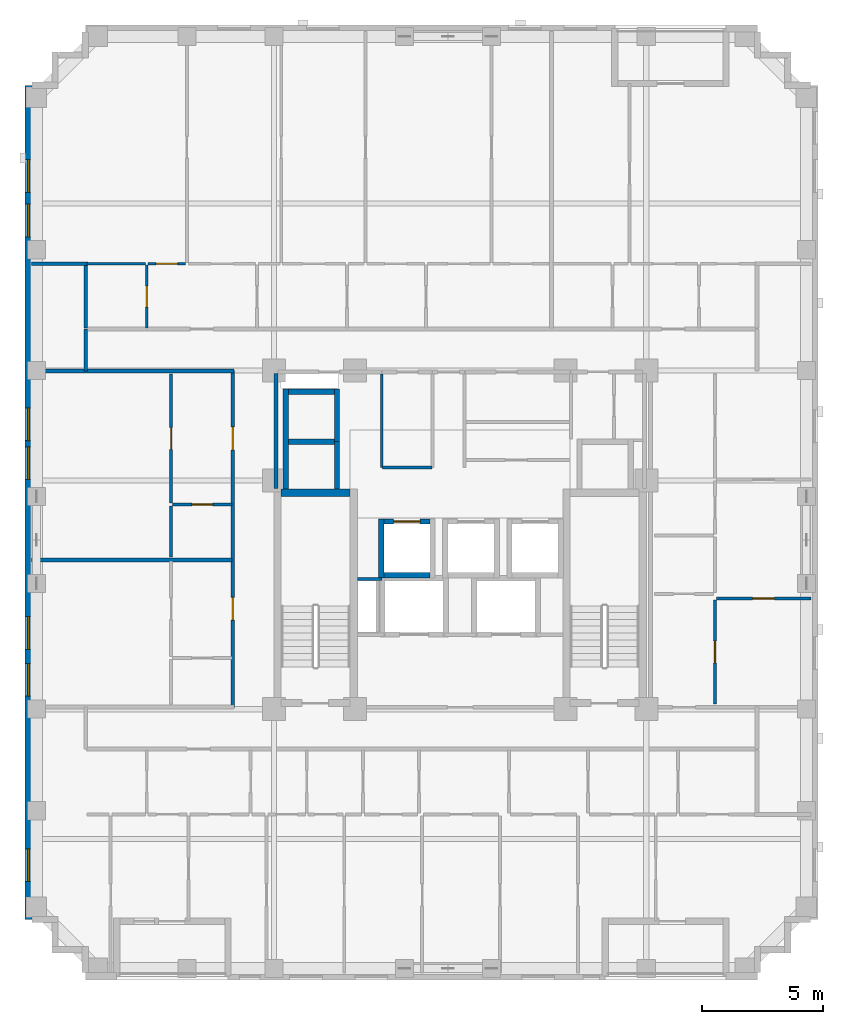
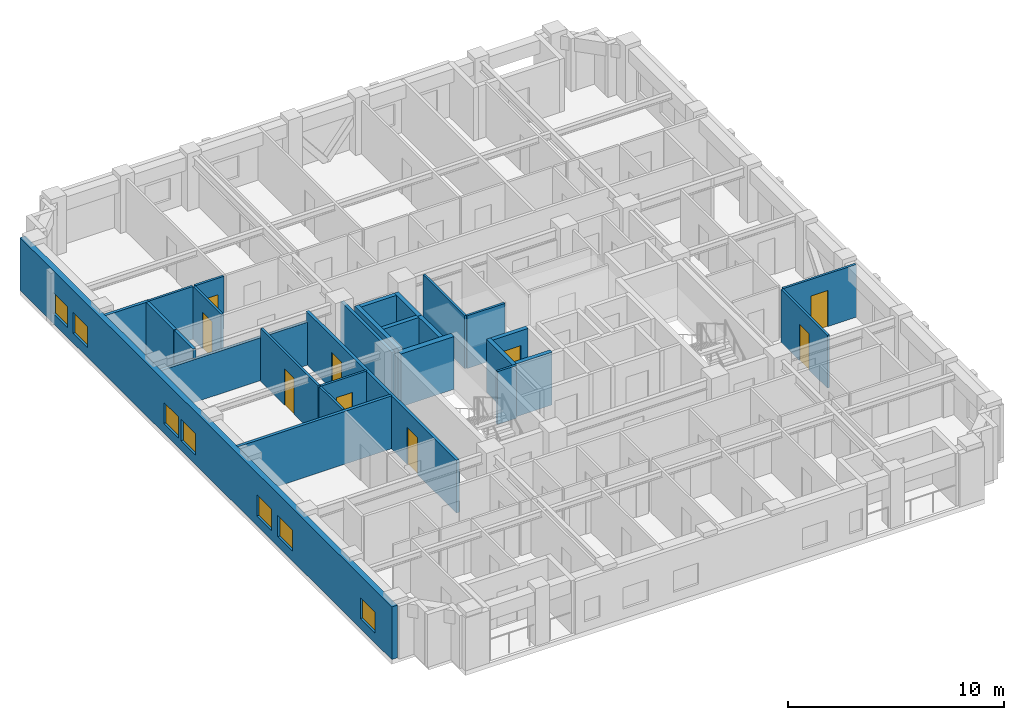
# One storey, part 5 of 12: 28 walls, 9 doors, 7 windows, 16 openings.
"""IFC4 building model written with IfcOpenShell, lengths in metres."""

from ifc_helpers import new_model, si_unit, derived_unit, direction, frame, frame_2d, origin, place, context, subcontext, project, spatial, rectangle, extrude, material, layer, layer_set, type_object, element, fill, save


model = new_model("IFC4")

# Units and contexts
model_context = context("Model", 3, precision=1e-05, world=origin(), true_north=direction((0.0, 1.0)))
body_context = subcontext(model_context, "Body", "Model", "MODEL_VIEW")
ifc_project = project(units=[si_unit("LENGTHUNIT", "METRE"), si_unit("AREAUNIT", "SQUARE_METRE"), si_unit("VOLUMEUNIT", "CUBIC_METRE"), si_unit("PLANEANGLEUNIT", "RADIAN"), si_unit("MASSUNIT", "GRAM", prefix="KILO"), derived_unit("THERMALTRANSMITTANCEUNIT", [(si_unit("MASSUNIT", "GRAM", prefix="KILO"), 1), (si_unit("TIMEUNIT", "SECOND"), -3), (si_unit("THERMODYNAMICTEMPERATUREUNIT", "KELVIN"), -1)])], contexts=[model_context])

# Site, building, storey
site_placement = place(None, origin())
site = spatial("IfcSite", under=ifc_project, at=site_placement, CompositionType="ELEMENT")
building_placement = place(site_placement, origin())
building = spatial("IfcBuilding", under=site, at=building_placement, Name="Korrvale Station Residences", CompositionType="ELEMENT")
storey_placement = place(building_placement, frame((0.0, 0.0, 130.89990234375)))
storey = spatial("IfcBuildingStorey", under=building, at=storey_placement, Name="L37", CompositionType="ELEMENT", Elevation=130.89990234375)

# Wall
ifc_material_1 = material(Name="Concrete C60/75", Category="concrete")
ifc_layer_1 = layer(ifc_material_1, 0.300048828125, Name="Concrete C60/75")
ifc_layer_set_1 = layer_set([ifc_layer_1], Name="Concrete C60/75")
wall_type_1 = type_object("IfcWallType", Name="WAL-CORE-300-C60", PredefinedType="SHEAR", material=ifc_layer_set_1)
wall_1_placement = place(storey_placement, frame((18.10009765625, 23.949951171875, 0.0), z_axis=(0.0, 0.0, 1.0), x_axis=(1.0, 0.0, 0.0)))
element("IfcWall", 1, at=wall_1_placement, inside=storey, type_object=wall_type_1, Name="L37 ST-1 Core Shear Wall North", PredefinedType="SHEAR", context=body_context, shape_type="SweptSolid", body=[
    extrude(rectangle(XDim=2.849853515625, YDim=0.300048828125, at=frame_2d((1.4248046875, 0.0))), origin(), (0.0, 0.0, 1.0), 2.989990234375),
])

# Wall, openings, windows
ifc_material_2 = material(Name="Precast concrete C45/55", Category="concrete")
ifc_layer_2 = layer(ifc_material_2, 0.300048828125, Name="Precast concrete C45/55")
ifc_layer_set_2 = layer_set([ifc_layer_2], Name="Precast concrete C45/55")
wall_type_2 = type_object("IfcWallType", Name="WAL-EXT-PC300", PredefinedType="SOLIDWALL", material=ifc_layer_set_2)
wall_2_placement = place(storey_placement, frame((7.64990234375, 6.300048828125, 0.0), z_axis=(0.0, 0.0, 1.0), x_axis=(0.0, 1.0, 0.0)))
wall_2 = element("IfcWall", 2, at=wall_2_placement, inside=storey, type_object=wall_type_2, Name="L37 West Exterior Precast Wall 1", PredefinedType="SOLIDWALL", context=body_context, shape_type="SweptSolid", body=[
    extrude(rectangle(XDim=34.5, YDim=0.300048828125, at=frame_2d((17.25, 0.0))), origin(), (0.0, 0.0, 1.0), 2.989990234375),
])
opening_1_placement = place(wall_2_placement, frame((1.574951171875, 0.0, 0.550048828125)))
opening_1 = element("IfcOpeningElement", 3, at=opening_1_placement, cuts=wall_2, Name="Opening W-10", PredefinedType="OPENING", context=body_context, shape_type="SweptSolid", body=[
    extrude(rectangle(XDim=1.35009765625, YDim=1.199951171875, at=frame_2d((0.675048828125, 0.60009765625))), frame((0.0, 0.16015625, 0.0), z_axis=(0.0, -1.0, 0.0), x_axis=(1.0, 0.0, 0.0)), (0.0, 0.0, 1.0), 0.320068359375),
])
opening_2_placement = place(wall_2_placement, frame((30.074951171875, 0.0, 0.550048828125)))
opening_2 = element("IfcOpeningElement", 4, at=opening_2_placement, cuts=wall_2, Name="Opening W-10", PredefinedType="OPENING", context=body_context, shape_type="SweptSolid", body=[
    extrude(rectangle(XDim=1.35009765625, YDim=1.199951171875, at=frame_2d((0.675048828125, 0.60009765625))), frame((0.0, 0.16015625, 0.0), z_axis=(0.0, -1.0, 0.0), x_axis=(1.0, 0.0, 0.0)), (0.0, 0.0, 1.0), 0.320068359375),
])
opening_3_placement = place(wall_2_placement, frame((28.235107421875, 0.0, 0.550048828125)))
opening_3 = element("IfcOpeningElement", 5, at=opening_3_placement, cuts=wall_2, Name="Opening W-10", PredefinedType="OPENING", context=body_context, shape_type="SweptSolid", body=[
    extrude(rectangle(XDim=1.35009765625, YDim=1.199951171875, at=frame_2d((0.675048828125, 0.60009765625))), frame((0.0, 0.16015625, 0.0), z_axis=(0.0, -1.0, 0.0), x_axis=(1.0, 0.0, 0.0)), (0.0, 0.0, 1.0), 0.320068359375),
])
opening_4_placement = place(wall_2_placement, frame((11.175048828125, 0.0, 0.550048828125)))
opening_4 = element("IfcOpeningElement", 6, at=opening_4_placement, cuts=wall_2, Name="Opening W-10", PredefinedType="OPENING", context=body_context, shape_type="SweptSolid", body=[
    extrude(rectangle(XDim=1.35009765625, YDim=1.199951171875, at=frame_2d((0.675048828125, 0.60009765625))), frame((0.0, 0.16015625, 0.0), z_axis=(0.0, -1.0, 0.0), x_axis=(1.0, 0.0, 0.0)), (0.0, 0.0, 1.0), 0.320068359375),
])
opening_5_placement = place(wall_2_placement, frame((9.235107421875, 0.0, 0.550048828125)))
opening_5 = element("IfcOpeningElement", 7, at=opening_5_placement, cuts=wall_2, Name="Opening W-10", PredefinedType="OPENING", context=body_context, shape_type="SweptSolid", body=[
    extrude(rectangle(XDim=1.35009765625, YDim=1.199951171875, at=frame_2d((0.675048828125, 0.60009765625))), frame((0.0, 0.16015625, 0.0), z_axis=(0.0, -1.0, 0.0), x_axis=(1.0, 0.0, 0.0)), (0.0, 0.0, 1.0), 0.320068359375),
])
opening_6_placement = place(wall_2_placement, frame((18.199951171875, 0.0, 0.550048828125)))
opening_6 = element("IfcOpeningElement", 8, at=opening_6_placement, cuts=wall_2, Name="Opening W-10", PredefinedType="OPENING", context=body_context, shape_type="SweptSolid", body=[
    extrude(rectangle(XDim=1.35009765625, YDim=1.199951171875, at=frame_2d((0.675048828125, 0.60009765625))), frame((0.0, 0.16015625, 0.0), z_axis=(0.0, -1.0, 0.0), x_axis=(1.0, 0.0, 0.0)), (0.0, 0.0, 1.0), 0.320068359375),
])
opening_7_placement = place(wall_2_placement, frame((19.81005859375, 0.0, 0.550048828125)))
opening_7 = element("IfcOpeningElement", 9, at=opening_7_placement, cuts=wall_2, Name="Opening W-10", PredefinedType="OPENING", context=body_context, shape_type="SweptSolid", body=[
    extrude(rectangle(XDim=1.35009765625, YDim=1.199951171875, at=frame_2d((0.675048828125, 0.60009765625))), frame((0.0, 0.16015625, 0.0), z_axis=(0.0, -1.0, 0.0), x_axis=(1.0, 0.0, 0.0)), (0.0, 0.0, 1.0), 0.320068359375),
])
ifc_material_3 = material(Name="Thermally broken aluminium frame with triple low-e glazing", Category="aluminium")
window_type = type_object("IfcWindowType", Name="WIN-W10", PartitioningType="SINGLE_PANEL", PredefinedType="WINDOW", material=ifc_material_3)
window_1_placement = place(opening_1_placement, origin())
window_1 = element("IfcWindow", 10, at=window_1_placement, inside=storey, type_object=window_type, Name="L37 Punched Window 01", OverallHeight=1.199951171875, OverallWidth=1.35009765625, PartitioningType="SINGLE_PANEL", PredefinedType="WINDOW", context=body_context, shape_type="SweptSolid", body=[
    extrude(rectangle(XDim=1.35009765625, YDim=1.199951171875, at=frame_2d((0.675048828125, 0.60009765625))), frame((0.0, 0.030029296875, 0.0), z_axis=(0.0, -1.0, 0.0), x_axis=(1.0, 0.0, 0.0)), (0.0, 0.0, 1.0), 0.06005859375),
])
fill(opening_1, window_1)
window_2_placement = place(opening_2_placement, origin())
window_2 = element("IfcWindow", 11, at=window_2_placement, inside=storey, type_object=window_type, Name="L37 Punched Window 09", OverallHeight=1.199951171875, OverallWidth=1.35009765625, PartitioningType="SINGLE_PANEL", PredefinedType="WINDOW", context=body_context, shape_type="SweptSolid", body=[
    extrude(rectangle(XDim=1.35009765625, YDim=1.199951171875, at=frame_2d((0.675048828125, 0.60009765625))), frame((0.0, 0.030029296875, 0.0), z_axis=(0.0, -1.0, 0.0), x_axis=(1.0, 0.0, 0.0)), (0.0, 0.0, 1.0), 0.06005859375),
])
fill(opening_2, window_2)
window_3_placement = place(opening_3_placement, origin())
window_3 = element("IfcWindow", 12, at=window_3_placement, inside=storey, type_object=window_type, Name="L37 Punched Window 10", OverallHeight=1.199951171875, OverallWidth=1.35009765625, PartitioningType="SINGLE_PANEL", PredefinedType="WINDOW", context=body_context, shape_type="SweptSolid", body=[
    extrude(rectangle(XDim=1.35009765625, YDim=1.199951171875, at=frame_2d((0.675048828125, 0.60009765625))), frame((0.0, 0.030029296875, 0.0), z_axis=(0.0, -1.0, 0.0), x_axis=(1.0, 0.0, 0.0)), (0.0, 0.0, 1.0), 0.06005859375),
])
fill(opening_3, window_3)
window_4_placement = place(opening_4_placement, origin())
window_4 = element("IfcWindow", 13, at=window_4_placement, inside=storey, type_object=window_type, Name="L37 Punched Window 17", OverallHeight=1.199951171875, OverallWidth=1.35009765625, PartitioningType="SINGLE_PANEL", PredefinedType="WINDOW", context=body_context, shape_type="SweptSolid", body=[
    extrude(rectangle(XDim=1.35009765625, YDim=1.199951171875, at=frame_2d((0.675048828125, 0.60009765625))), frame((0.0, 0.030029296875, 0.0), z_axis=(0.0, -1.0, 0.0), x_axis=(1.0, 0.0, 0.0)), (0.0, 0.0, 1.0), 0.06005859375),
])
fill(opening_4, window_4)
window_5_placement = place(opening_5_placement, origin())
window_5 = element("IfcWindow", 14, at=window_5_placement, inside=storey, type_object=window_type, Name="L37 Punched Window 18", OverallHeight=1.199951171875, OverallWidth=1.35009765625, PartitioningType="SINGLE_PANEL", PredefinedType="WINDOW", context=body_context, shape_type="SweptSolid", body=[
    extrude(rectangle(XDim=1.35009765625, YDim=1.199951171875, at=frame_2d((0.675048828125, 0.60009765625))), frame((0.0, 0.030029296875, 0.0), z_axis=(0.0, -1.0, 0.0), x_axis=(1.0, 0.0, 0.0)), (0.0, 0.0, 1.0), 0.06005859375),
])
fill(opening_5, window_5)
window_6_placement = place(opening_6_placement, origin())
window_6 = element("IfcWindow", 15, at=window_6_placement, inside=storey, type_object=window_type, Name="L37 Punched Window 19", OverallHeight=1.199951171875, OverallWidth=1.35009765625, PartitioningType="SINGLE_PANEL", PredefinedType="WINDOW", context=body_context, shape_type="SweptSolid", body=[
    extrude(rectangle(XDim=1.35009765625, YDim=1.199951171875, at=frame_2d((0.675048828125, 0.60009765625))), frame((0.0, 0.030029296875, 0.0), z_axis=(0.0, -1.0, 0.0), x_axis=(1.0, 0.0, 0.0)), (0.0, 0.0, 1.0), 0.06005859375),
])
fill(opening_6, window_6)
window_7_placement = place(opening_7_placement, origin())
window_7 = element("IfcWindow", 16, at=window_7_placement, inside=storey, type_object=window_type, Name="L37 Punched Window 20", OverallHeight=1.199951171875, OverallWidth=1.35009765625, PartitioningType="SINGLE_PANEL", PredefinedType="WINDOW", context=body_context, shape_type="SweptSolid", body=[
    extrude(rectangle(XDim=1.35009765625, YDim=1.199951171875, at=frame_2d((0.675048828125, 0.60009765625))), frame((0.0, 0.030029296875, 0.0), z_axis=(0.0, -1.0, 0.0), x_axis=(1.0, 0.0, 0.0)), (0.0, 0.0, 1.0), 0.06005859375),
])
fill(opening_7, window_7)

# Walls
ifc_material_4 = material(Name="Acoustic steel-stud gypsum board partition", Category="steel")
ifc_layer_3 = layer(ifc_material_4, 0.1201171875, Name="Acoustic steel-stud gypsum board partition")
ifc_layer_set_3 = layer_set([ifc_layer_3], Name="Acoustic steel-stud gypsum board partition")
wall_type_3 = type_object("IfcWallType", Name="WAL-PART-125", PredefinedType="PARTITIONING", material=ifc_layer_set_3)
wall_3_placement = place(storey_placement, frame((22.280029296875, 20.3798828125, 0.0), z_axis=(0.0, 0.0, 1.0), x_axis=(-1.0, 0.0, 0.0)))
element("IfcWall", 17, at=wall_3_placement, inside=storey, type_object=wall_type_3, Name="L37 Core Partition CW-RSWT-N", PredefinedType="PARTITIONING", context=body_context, shape_type="SweptSolid", body=[
    extrude(rectangle(XDim=1.02001953125, YDim=0.1201171875, at=frame_2d((0.510009765625, 0.0))), origin(), (0.0, 0.0, 1.0), 2.989990234375),
])
wall_4_placement = place(storey_placement, frame((22.260009765625, 25.0, 0.0), z_axis=(0.0, 0.0, 1.0), x_axis=(0.0, 1.0, 0.0)))
element("IfcWall", 18, at=wall_4_placement, inside=storey, type_object=wall_type_3, Name="L37 Core Partition CW-FPLW-W", PredefinedType="PARTITIONING", context=body_context, shape_type="SweptSolid", body=[
    extrude(rectangle(XDim=3.860107421875, YDim=0.1201171875, at=frame_2d((1.93017578125, 0.0))), origin(), (0.0, 0.0, 1.0), 2.989990234375),
])
wall_5_placement = place(storey_placement, frame((22.300048828125, 25.0, 0.0), z_axis=(0.0, 0.0, 1.0), x_axis=(1.0, 0.0, 0.0)))
element("IfcWall", 19, at=wall_5_placement, inside=storey, type_object=wall_type_3, Name="L37 Core Partition CW-FPLW-S", PredefinedType="PARTITIONING", context=body_context, shape_type="SweptSolid", body=[
    extrude(rectangle(XDim=2.0400390625, YDim=0.1201171875, at=frame_2d((1.02001953125, 0.0))), origin(), (0.0, 0.0, 1.0), 2.989990234375),
])

# Wall, opening, door
wall_6_placement = place(storey_placement, frame((12.5400390625, 30.760009765625, 0.0), z_axis=(0.0, 0.0, 1.0), x_axis=(0.0, 1.0, 0.0)))
wall_6 = element("IfcWall", 20, at=wall_6_placement, inside=storey, type_object=wall_type_3, Name="L37 Suite Partition U02-V01", PredefinedType="PARTITIONING", context=body_context, shape_type="SweptSolid", body=[
    extrude(rectangle(XDim=2.60009765625, YDim=0.1201171875, at=frame_2d((1.300048828125, 0.0))), origin(), (0.0, 0.0, 1.0), 2.989990234375),
])
opening_8_placement = place(wall_6_placement, frame((0.8701171875, 0.0, 0.0)))
opening_8 = element("IfcOpeningElement", 21, at=opening_8_placement, cuts=wall_6, Name="Opening DB-860", PredefinedType="OPENING", context=body_context, shape_type="SweptSolid", body=[
    extrude(rectangle(XDim=0.860107421875, YDim=2.050048828125, at=frame_2d((0.43017578125, 1.02490234375))), frame((0.0, 0.070068359375, 0.0), z_axis=(0.0, -1.0, 0.0), x_axis=(1.0, 0.0, 0.0)), (0.0, 0.0, 1.0), 0.14013671875),
])
ifc_material_5 = material(Name="Moisture-resistant solid-core bathroom door", Category="timber")
door_type_1 = type_object("IfcDoorType", Name="DR-BATH-860", OperationType="NOTDEFINED", PredefinedType="DOOR", material=ifc_material_5)
door_1_placement = place(opening_8_placement, origin())
door_1 = element("IfcDoor", 22, at=door_1_placement, inside=storey, type_object=door_type_1, Name="L37 Apartment 1BR L37-U02 Bathroom Door", OperationType="SINGLE_SWING_RIGHT", OverallHeight=2.050048828125, OverallWidth=0.860107421875, PredefinedType="DOOR", context=body_context, shape_type="SweptSolid", body=[
    extrude(rectangle(XDim=0.860107421875, YDim=2.050048828125, at=frame_2d((0.43017578125, 1.02490234375))), frame((0.0, 0.02490234375, 0.0), z_axis=(0.0, -1.0, 0.0), x_axis=(1.0, 0.0, 0.0)), (0.0, 0.0, 1.0), 0.050048828125),
])
fill(opening_8, door_1)

# Wall
wall_7_placement = place(storey_placement, frame((10.080078125, 33.419921875, 0.0), z_axis=(0.0, 0.0, 1.0), x_axis=(1.0, 0.0, 0.0)))
element("IfcWall", 23, at=wall_7_placement, inside=storey, type_object=wall_type_3, Name="L37 Suite Partition U02-H05", PredefinedType="PARTITIONING", context=body_context, shape_type="SweptSolid", body=[
    extrude(rectangle(XDim=2.39990234375, YDim=0.1201171875, at=frame_2d((1.199951171875, 0.0))), origin(), (0.0, 0.0, 1.0), 2.989990234375),
])

# Wall, opening, door
wall_8_placement = place(storey_placement, frame((12.60009765625, 33.419921875, 0.0), z_axis=(0.0, 0.0, 1.0), x_axis=(1.0, 0.0, 0.0)))
wall_8 = element("IfcWall", 24, at=wall_8_placement, inside=storey, type_object=wall_type_3, Name="L37 Suite Partition U02-H15", PredefinedType="PARTITIONING", context=body_context, shape_type="SweptSolid", body=[
    extrude(rectangle(XDim=1.539794921875, YDim=0.1201171875, at=frame_2d((0.77001953125, 0.0))), origin(), (0.0, 0.0, 1.0), 2.989990234375),
])
opening_9_placement = place(wall_8_placement, frame((0.320068359375, 0.0, 0.0)))
opening_9 = element("IfcOpeningElement", 25, at=opening_9_placement, cuts=wall_8, Name="Opening DI-900", PredefinedType="OPENING", context=body_context, shape_type="SweptSolid", body=[
    extrude(rectangle(XDim=0.89990234375, YDim=2.050048828125, at=frame_2d((0.449951171875, 1.02490234375))), frame((0.0, 0.070068359375, 0.0), z_axis=(0.0, -1.0, 0.0), x_axis=(1.0, 0.0, 0.0)), (0.0, 0.0, 1.0), 0.14013671875),
])
ifc_material_6 = material(Name="Painted solid-core timber interior room door", Category="wood")
door_type_2 = type_object("IfcDoorType", Name="DR-INT-900", OperationType="NOTDEFINED", PredefinedType="DOOR", material=ifc_material_6)
door_2_placement = place(opening_9_placement, origin())
door_2 = element("IfcDoor", 26, at=door_2_placement, inside=storey, type_object=door_type_2, Name="L37 Apartment 1BR L37-U02 Kitchen Door", OperationType="SINGLE_SWING_RIGHT", OverallHeight=2.050048828125, OverallWidth=0.89990234375, PredefinedType="DOOR", context=body_context, shape_type="SweptSolid", body=[
    extrude(rectangle(XDim=0.89990234375, YDim=2.050048828125, at=frame_2d((0.449951171875, 1.02490234375))), frame((0.0, 0.02490234375, 0.0), z_axis=(0.0, -1.0, 0.0), x_axis=(1.0, 0.0, 0.0)), (0.0, 0.0, 1.0), 0.050048828125),
])
fill(opening_9, door_2)

wall_9_placement = place(storey_placement, frame((13.610107421875, 23.467041015625, 0.0), z_axis=(0.0, 0.0, 1.0), x_axis=(1.0, 0.0, 0.0)))
wall_9 = element("IfcWall", 27, at=wall_9_placement, inside=storey, type_object=wall_type_3, Name="L37 Suite Partition U05-H01", PredefinedType="PARTITIONING", context=body_context, shape_type="SweptSolid", body=[
    extrude(rectangle(XDim=2.449951171875, YDim=0.1201171875, at=frame_2d((1.22509765625, 0.0))), origin(), (0.0, 0.0, 1.0), 2.989990234375),
])
opening_10_placement = place(wall_9_placement, frame((0.794921875, 0.0, 0.0)))
opening_10 = element("IfcOpeningElement", 28, at=opening_10_placement, cuts=wall_9, Name="Opening DB-860", PredefinedType="OPENING", context=body_context, shape_type="SweptSolid", body=[
    extrude(rectangle(XDim=0.860107421875, YDim=2.050048828125, at=frame_2d((0.43017578125, 1.02490234375))), frame((0.0, 0.070068359375, 0.0), z_axis=(0.0, -1.0, 0.0), x_axis=(1.0, 0.0, 0.0)), (0.0, 0.0, 1.0), 0.14013671875),
])
door_3_placement = place(opening_10_placement, origin())
door_3 = element("IfcDoor", 29, at=door_3_placement, inside=storey, type_object=door_type_1, Name="L37 Apartment 1BR L37-U05 Bathroom Door", OperationType="SINGLE_SWING_LEFT", OverallHeight=2.050048828125, OverallWidth=0.860107421875, PredefinedType="DOOR", context=body_context, shape_type="SweptSolid", body=[
    extrude(rectangle(XDim=0.860107421875, YDim=2.050048828125, at=frame_2d((0.43017578125, 1.02490234375))), frame((0.0, 0.02490234375, 0.0), z_axis=(0.0, -1.0, 0.0), x_axis=(1.0, 0.0, 0.0)), (0.0, 0.0, 1.0), 0.050048828125),
])
fill(opening_10, door_3)

# Wall
wall_10_placement = place(storey_placement, frame((13.550048828125, 21.285888671875, 0.0), z_axis=(0.0, 0.0, 1.0), x_axis=(0.0, 1.0, 0.0)))
element("IfcWall", 30, at=wall_10_placement, inside=storey, type_object=wall_type_3, Name="L37 Suite Partition U05-V02", PredefinedType="PARTITIONING", context=body_context, shape_type="SweptSolid", body=[
    extrude(rectangle(XDim=2.12109375, YDim=0.1201171875, at=frame_2d((1.060546875, 0.0))), origin(), (0.0, 0.0, 1.0), 2.989990234375),
])

# Wall, opening, door
wall_11_placement = place(storey_placement, frame((13.550048828125, 23.527099609375, 0.0), z_axis=(0.0, 0.0, 1.0), x_axis=(0.0, 1.0, 0.0)))
wall_11 = element("IfcWall", 31, at=wall_11_placement, inside=storey, type_object=wall_type_3, Name="L37 Suite Partition U05-V12", PredefinedType="PARTITIONING", context=body_context, shape_type="SweptSolid", body=[
    extrude(rectangle(XDim=5.3330078125, YDim=0.1201171875, at=frame_2d((2.66650390625, 0.0))), origin(), (0.0, 0.0, 1.0), 2.989990234375),
])
opening_11_placement = place(wall_11_placement, frame((2.216064453125, 0.0, 0.0)))
opening_11 = element("IfcOpeningElement", 32, at=opening_11_placement, cuts=wall_11, Name="Opening DI-900", PredefinedType="OPENING", context=body_context, shape_type="SweptSolid", body=[
    extrude(rectangle(XDim=0.89990234375, YDim=2.050048828125, at=frame_2d((0.449951171875, 1.02490234375))), frame((0.0, 0.070068359375, 0.0), z_axis=(0.0, -1.0, 0.0), x_axis=(1.0, 0.0, 0.0)), (0.0, 0.0, 1.0), 0.14013671875),
])
door_4_placement = place(opening_11_placement, origin())
door_4 = element("IfcDoor", 33, at=door_4_placement, inside=storey, type_object=door_type_2, Name="L37 Apartment 1BR L37-U05 Kitchen Door", OperationType="SINGLE_SWING_RIGHT", OverallHeight=2.050048828125, OverallWidth=0.89990234375, PredefinedType="DOOR", context=body_context, shape_type="SweptSolid", body=[
    extrude(rectangle(XDim=0.89990234375, YDim=2.050048828125, at=frame_2d((0.449951171875, 1.02490234375))), frame((0.0, 0.02490234375, 0.0), z_axis=(0.0, -1.0, 0.0), x_axis=(1.0, 0.0, 0.0)), (0.0, 0.0, 1.0), 0.050048828125),
])
fill(opening_11, door_4)

wall_12_placement = place(storey_placement, frame((36.0400390625, 15.2099609375, 0.0), z_axis=(0.0, 0.0, 1.0), x_axis=(0.0, 1.0, 0.0)))
wall_12 = element("IfcWall", 34, at=wall_12_placement, inside=storey, type_object=wall_type_3, Name="L37 Suite Partition U06-V23", PredefinedType="PARTITIONING", context=body_context, shape_type="SweptSolid", body=[
    extrude(rectangle(XDim=4.30810546875, YDim=0.1201171875, at=frame_2d((2.154052734375, 0.0))), origin(), (0.0, 0.0, 1.0), 2.989990234375),
])
opening_12_placement = place(wall_12_placement, frame((1.7041015625, 0.0, 0.0)))
opening_12 = element("IfcOpeningElement", 35, at=opening_12_placement, cuts=wall_12, Name="Opening DI-900", PredefinedType="OPENING", context=body_context, shape_type="SweptSolid", body=[
    extrude(rectangle(XDim=0.89990234375, YDim=2.050048828125, at=frame_2d((0.449951171875, 1.02490234375))), frame((0.0, 0.070068359375, 0.0), z_axis=(0.0, -1.0, 0.0), x_axis=(1.0, 0.0, 0.0)), (0.0, 0.0, 1.0), 0.14013671875),
])
door_5_placement = place(opening_12_placement, origin())
door_5 = element("IfcDoor", 36, at=door_5_placement, inside=storey, type_object=door_type_2, Name="L37 Apartment 2BR L37-U06 Kitchen Door", OperationType="SINGLE_SWING_LEFT", OverallHeight=2.050048828125, OverallWidth=0.89990234375, PredefinedType="DOOR", context=body_context, shape_type="SweptSolid", body=[
    extrude(rectangle(XDim=0.89990234375, YDim=2.050048828125, at=frame_2d((0.449951171875, 1.02490234375))), frame((0.0, 0.02490234375, 0.0), z_axis=(0.0, -1.0, 0.0), x_axis=(1.0, 0.0, 0.0)), (0.0, 0.0, 1.0), 0.050048828125),
])
fill(opening_12, door_5)

wall_13_placement = place(storey_placement, frame((36.10009765625, 19.577880859375, 0.0), z_axis=(0.0, 0.0, 1.0), x_axis=(1.0, 0.0, 0.0)))
wall_13 = element("IfcWall", 37, at=wall_13_placement, inside=storey, type_object=wall_type_3, Name="L37 Suite Partition U06-H34", PredefinedType="PARTITIONING", context=body_context, shape_type="SweptSolid", body=[
    extrude(rectangle(XDim=3.919921875, YDim=0.1201171875, at=frame_2d((1.9599609375, 0.0))), origin(), (0.0, 0.0, 1.0), 2.989990234375),
])
opening_13_placement = place(wall_13_placement, frame((1.4951171875, 0.0, 0.0)))
opening_13 = element("IfcOpeningElement", 38, at=opening_13_placement, cuts=wall_13, Name="Opening DI-900", PredefinedType="OPENING", context=body_context, shape_type="SweptSolid", body=[
    extrude(rectangle(XDim=0.89990234375, YDim=2.050048828125, at=frame_2d((0.449951171875, 1.02490234375))), frame((0.0, 0.070068359375, 0.0), z_axis=(0.0, -1.0, 0.0), x_axis=(1.0, 0.0, 0.0)), (0.0, 0.0, 1.0), 0.14013671875),
])
door_6_placement = place(opening_13_placement, origin())
door_6 = element("IfcDoor", 39, at=door_6_placement, inside=storey, type_object=door_type_2, Name="L37 Apartment 2BR L37-U06 Bedroom 1 Door", OperationType="SINGLE_SWING_RIGHT", OverallHeight=2.050048828125, OverallWidth=0.89990234375, PredefinedType="DOOR", context=body_context, shape_type="SweptSolid", body=[
    extrude(rectangle(XDim=0.89990234375, YDim=2.050048828125, at=frame_2d((0.449951171875, 1.02490234375))), frame((0.0, 0.02490234375, 0.0), z_axis=(0.0, -1.0, 0.0), x_axis=(1.0, 0.0, 0.0)), (0.0, 0.0, 1.0), 0.050048828125),
])
fill(opening_13, door_6)

# Walls
ifc_material_7 = material(Name="Fire-rated twin-stud gypsum and mineral wool shaftwall assembly", Category="gypsum")
ifc_layer_4 = layer(ifc_material_7, 0.159912109375, Name="Fire-rated twin-stud gypsum and mineral wool shaftwall assembly")
ifc_layer_set_4 = layer_set([ifc_layer_4], Name="Fire-rated twin-stud gypsum and mineral wool shaftwall assembly")
wall_type_4 = type_object("IfcWallType", Name="WAL-PART-200", PredefinedType="PARTITIONING", material=ifc_layer_set_4)
wall_14_placement = place(storey_placement, frame((17.8798828125, 24.1201171875, 0.0), z_axis=(0.0, 0.0, 1.0), x_axis=(0.0, 1.0, 0.0)))
element("IfcWall", 40, at=wall_14_placement, inside=storey, type_object=wall_type_4, Name="L37 Core Partition CW-W-N", PredefinedType="PARTITIONING", context=body_context, shape_type="SweptSolid", body=[
    extrude(rectangle(XDim=4.759765625, YDim=0.159912109375, at=frame_2d((2.3798828125, 0.0))), origin(), (0.0, 0.0, 1.0), 2.989990234375),
])
wall_15_placement = place(storey_placement, frame((10.02001953125, 28.97998046875, 0.0), z_axis=(0.0, 0.0, 1.0), x_axis=(0.0, 1.0, 0.0)))
element("IfcWall", 41, at=wall_15_placement, inside=storey, type_object=wall_type_4, Name="L37 Corridor North West Cap", PredefinedType="PARTITIONING", context=body_context, shape_type="SweptSolid", body=[
    extrude(rectangle(XDim=1.739990234375, YDim=0.159912109375, at=frame_2d((0.8701171875, 0.0))), origin(), (0.0, 0.0, 1.0), 2.989990234375),
])
wall_16_placement = place(storey_placement, frame((7.780029296875, 28.97998046875, 0.0), z_axis=(0.0, 0.0, 1.0), x_axis=(1.0, 0.0, 0.0)))
element("IfcWall", 42, at=wall_16_placement, inside=storey, type_object=wall_type_4, Name="L37 West Wing North Corridor Wall", PredefinedType="PARTITIONING", context=body_context, shape_type="SweptSolid", body=[
    extrude(rectangle(XDim=8.35986328125, YDim=0.159912109375, at=frame_2d((4.179931640625, 0.0))), origin(), (0.0, 0.0, 1.0), 2.426025390625),
])
wall_17_placement = place(storey_placement, frame((7.780029296875, 33.419921875, 0.0), z_axis=(0.0, 0.0, 1.0), x_axis=(1.0, 0.0, 0.0)))
element("IfcWall", 43, at=wall_17_placement, inside=storey, type_object=wall_type_4, Name="L37 Corner Step Wall U02-L", PredefinedType="PARTITIONING", context=body_context, shape_type="SweptSolid", body=[
    extrude(rectangle(XDim=2.340087890625, YDim=0.159912109375, at=frame_2d((1.169921875, 0.0))), origin(), (0.0, 0.0, 1.0), 2.989990234375),
])
wall_18_placement = place(storey_placement, frame((10.02001953125, 30.760009765625, 0.0), z_axis=(0.0, 0.0, 1.0), x_axis=(0.0, 1.0, 0.0)))
element("IfcWall", 44, at=wall_18_placement, inside=storey, type_object=wall_type_4, Name="L37 Corner Step Cheek U02-L", PredefinedType="PARTITIONING", context=body_context, shape_type="SweptSolid", body=[
    extrude(rectangle(XDim=2.659912109375, YDim=0.159912109375, at=frame_2d((1.330078125, 0.0))), origin(), (0.0, 0.0, 1.0), 2.989990234375),
])
wall_19_placement = place(storey_placement, frame((7.780029296875, 21.166015625, 0.0), z_axis=(0.0, 0.0, 1.0), x_axis=(1.0, 0.0, 0.0)))
element("IfcWall", 45, at=wall_19_placement, inside=storey, type_object=wall_type_4, Name="L37 Demising Wall U04-N", PredefinedType="PARTITIONING", context=body_context, shape_type="SweptSolid", body=[
    extrude(rectangle(XDim=8.280029296875, YDim=0.159912109375, at=frame_2d((4.14013671875, 0.0))), origin(), (0.0, 0.0, 1.0), 2.989990234375),
])

# Wall, openings, doors
wall_20_placement = place(storey_placement, frame((16.10009765625, 15.070068359375, 0.0), z_axis=(0.0, 0.0, 1.0), x_axis=(0.0, 1.0, 0.0)))
wall_20 = element("IfcWall", 46, at=wall_20_placement, inside=storey, type_object=wall_type_4, Name="L37 Rated Corridor Wall W", PredefinedType="PARTITIONING", context=body_context, shape_type="SweptSolid", body=[
    extrude(rectangle(XDim=13.929931640625, YDim=0.159912109375, at=frame_2d((6.96484375, 0.0))), origin(), (0.0, 0.0, 1.0), 2.989990234375),
])
opening_14_placement = place(wall_20_placement, frame((3.60791015625, 0.0, 0.0)))
opening_14 = element("IfcOpeningElement", 47, at=opening_14_placement, cuts=wall_20, Name="Opening UD-950", PredefinedType="OPENING", context=body_context, shape_type="SweptSolid", body=[
    extrude(rectangle(XDim=0.949951171875, YDim=2.10009765625, at=frame_2d((0.47509765625, 1.050048828125))), frame((0.0, 0.08984375, 0.0), z_axis=(0.0, -1.0, 0.0), x_axis=(1.0, 0.0, 0.0)), (0.0, 0.0, 1.0), 0.179931640625),
])
opening_15_placement = place(wall_20_placement, frame((10.64892578125, 0.0, 0.0)))
opening_15 = element("IfcOpeningElement", 48, at=opening_15_placement, cuts=wall_20, Name="Opening UD-950", PredefinedType="OPENING", context=body_context, shape_type="SweptSolid", body=[
    extrude(rectangle(XDim=0.949951171875, YDim=2.10009765625, at=frame_2d((0.47509765625, 1.050048828125))), frame((0.0, 0.08984375, 0.0), z_axis=(0.0, -1.0, 0.0), x_axis=(1.0, 0.0, 0.0)), (0.0, 0.0, 1.0), 0.179931640625),
])
ifc_material_8 = material(Name="Solid-core acoustic oak apartment entrance door", Category="timber")
door_type_3 = type_object("IfcDoorType", Name="DR-UNIT-950", OperationType="NOTDEFINED", PredefinedType="DOOR", material=ifc_material_8)
door_7_placement = place(opening_14_placement, origin())
door_7 = element("IfcDoor", 49, at=door_7_placement, inside=storey, type_object=door_type_3, Name="L37 Apartment L37-U04 Entrance Door", OperationType="SINGLE_SWING_LEFT", OverallHeight=2.10009765625, OverallWidth=0.949951171875, PredefinedType="DOOR", context=body_context, shape_type="SweptSolid", body=[
    extrude(rectangle(XDim=0.949951171875, YDim=2.10009765625, at=frame_2d((0.47509765625, 1.050048828125))), frame((0.0, 0.02490234375, 0.0), z_axis=(0.0, -1.0, 0.0), x_axis=(1.0, 0.0, 0.0)), (0.0, 0.0, 1.0), 0.050048828125),
])
fill(opening_14, door_7)
door_8_placement = place(opening_15_placement, origin())
door_8 = element("IfcDoor", 50, at=door_8_placement, inside=storey, type_object=door_type_3, Name="L37 Apartment L37-U05 Entrance Door", OperationType="SINGLE_SWING_RIGHT", OverallHeight=2.10009765625, OverallWidth=0.949951171875, PredefinedType="DOOR", context=body_context, shape_type="SweptSolid", body=[
    extrude(rectangle(XDim=0.949951171875, YDim=2.10009765625, at=frame_2d((0.47509765625, 1.050048828125))), frame((0.0, 0.02490234375, 0.0), z_axis=(0.0, -1.0, 0.0), x_axis=(1.0, 0.0, 0.0)), (0.0, 0.0, 1.0), 0.050048828125),
])
fill(opening_15, door_8)

# Wall
ifc_layer_5 = layer(ifc_material_1, 0.219970703125, Name="Concrete C60/75")
ifc_layer_set_5 = layer_set([ifc_layer_5], Name="Concrete C60/75")
wall_type_5 = type_object("IfcWallType", Name="WAL-SHAFT-220-C60", PredefinedType="SHEAR", material=ifc_layer_set_5)
wall_21_placement = place(storey_placement, frame((22.35009765625, 20.5400390625, 0.0), z_axis=(0.0, 0.0, 1.0), x_axis=(1.0, 0.0, 0.0)))
element("IfcWall", 51, at=wall_21_placement, inside=storey, type_object=wall_type_5, Name="L37 Elevator PM-1 Hoistway Wall South", PredefinedType="SHEAR", context=body_context, shape_type="SweptSolid", body=[
    extrude(rectangle(XDim=1.89990234375, YDim=0.219970703125, at=frame_2d((0.949951171875, 0.0))), origin(), (0.0, 0.0, 1.0), 2.989990234375),
])

# Wall, opening, door
wall_22_placement = place(storey_placement, frame((22.35009765625, 22.760009765625, 0.0), z_axis=(0.0, 0.0, 1.0), x_axis=(1.0, 0.0, 0.0)))
wall_22 = element("IfcWall", 52, at=wall_22_placement, inside=storey, type_object=wall_type_5, Name="L37 Elevator PM-1 Hoistway Wall North", PredefinedType="SHEAR", context=body_context, shape_type="SweptSolid", body=[
    extrude(rectangle(XDim=1.89990234375, YDim=0.219970703125, at=frame_2d((0.949951171875, 0.0))), origin(), (0.0, 0.0, 1.0), 2.989990234375),
])
opening_16_placement = place(wall_22_placement, frame((0.39990234375, 0.0, 0.0)))
opening_16 = element("IfcOpeningElement", 53, at=opening_16_placement, cuts=wall_22, Name="Opening LD-1100", PredefinedType="OPENING", context=body_context, shape_type="SweptSolid", body=[
    extrude(rectangle(XDim=1.10009765625, YDim=2.14990234375, at=frame_2d((0.550048828125, 1.074951171875))), frame((0.0, 0.1201171875, 0.0), z_axis=(0.0, -1.0, 0.0), x_axis=(1.0, 0.0, 0.0)), (0.0, 0.0, 1.0), 0.239990234375),
])
ifc_material_9 = material(Name="Brushed stainless-steel elevator landing sliding door", Category="steel")
door_type_4 = type_object("IfcDoorType", Name="DR-LIFT-1100", OperationType="SLIDING_TO_LEFT", PredefinedType="DOOR", material=ifc_material_9)
door_9_placement = place(opening_16_placement, origin())
door_9 = element("IfcDoor", 54, at=door_9_placement, inside=storey, type_object=door_type_4, Name="L37 Elevator PM-1 Sliding Landing Door", OperationType="SLIDING_TO_LEFT", OverallHeight=2.14990234375, OverallWidth=1.10009765625, PredefinedType="DOOR", context=body_context, shape_type="SweptSolid", body=[
    extrude(rectangle(XDim=1.10009765625, YDim=2.14990234375, at=frame_2d((0.550048828125, 1.074951171875))), frame((0.0, 0.02490234375, 0.0), z_axis=(0.0, -1.0, 0.0), x_axis=(1.0, 0.0, 0.0)), (0.0, 0.0, 1.0), 0.050048828125),
])
fill(opening_16, door_9)

# Walls
wall_23_placement = place(storey_placement, frame((22.239990234375, 20.429931640625, 0.0), z_axis=(0.0, 0.0, 1.0), x_axis=(0.0, 1.0, 0.0)))
element("IfcWall", 55, at=wall_23_placement, inside=storey, type_object=wall_type_5, Name="L37 Elevator PM-1 Hoistway Wall West", PredefinedType="SHEAR", context=body_context, shape_type="SweptSolid", body=[
    extrude(rectangle(XDim=2.440185546875, YDim=0.219970703125, at=frame_2d((1.22021484375, 0.0))), origin(), (0.0, 0.0, 1.0), 2.989990234375),
])
wall_24_placement = place(storey_placement, frame((18.2900390625, 24.10009765625, 0.0), z_axis=(0.0, 0.0, 1.0), x_axis=(0.0, 1.0, 0.0)))
element("IfcWall", 56, at=wall_24_placement, inside=storey, type_object=wall_type_5, Name="L37 Elevator PH-1 Hoistway Wall West", PredefinedType="SHEAR", context=body_context, shape_type="SweptSolid", body=[
    extrude(rectangle(XDim=4.139892578125, YDim=0.219970703125, at=frame_2d((2.06982421875, 0.0))), origin(), (0.0, 0.0, 1.0), 2.989990234375),
])
wall_25_placement = place(storey_placement, frame((20.409912109375, 24.10009765625, 0.0), z_axis=(0.0, 0.0, 1.0), x_axis=(0.0, 1.0, 0.0)))
element("IfcWall", 57, at=wall_25_placement, inside=storey, type_object=wall_type_5, Name="L37 Elevator PH-1 Hoistway Wall East", PredefinedType="SHEAR", context=body_context, shape_type="SweptSolid", body=[
    extrude(rectangle(XDim=1.9599609375, YDim=0.219970703125, at=frame_2d((0.97998046875, 0.0))), origin(), (0.0, 0.0, 1.0), 2.989990234375),
])
for number, where, z_axis, x_axis, name in (
    (58, (18.39990234375, 26.06005859375, 0.0), (0.0, 0.0, 1.0), (1.0, 0.0, 0.0), "L37 Elevator PH-2 Hoistway Wall South"),
    (59, (18.39990234375, 28.1298828125, 0.0), (0.0, 0.0, 1.0), (1.0, 0.0, 0.0), "L37 Elevator PH-2 Hoistway Wall North"),
):
    element("IfcWall", number, at=place(storey_placement, frame(where, z_axis=z_axis, x_axis=x_axis)), inside=storey, type_object=wall_type_5, Name=name, PredefinedType="SHEAR", context=body_context, shape_type="SweptSolid", body=[
        extrude(rectangle(XDim=1.900146484375, YDim=0.219970703125, at=frame_2d((0.9501953125, 0.0))), origin(), (0.0, 0.0, 1.0), 2.989990234375),
    ])
wall_26_placement = place(storey_placement, frame((20.409912109375, 26.06005859375, 0.0), z_axis=(0.0, 0.0, 1.0), x_axis=(0.0, 1.0, 0.0)))
element("IfcWall", 60, at=wall_26_placement, inside=storey, type_object=wall_type_5, Name="L37 Elevator PH-2 Hoistway Wall East", PredefinedType="SHEAR", context=body_context, shape_type="SweptSolid", body=[
    extrude(rectangle(XDim=2.179931640625, YDim=0.219970703125, at=frame_2d((1.08984375, 0.0))), origin(), (0.0, 0.0, 1.0), 2.989990234375),
])

save(model, "model.ifc")
